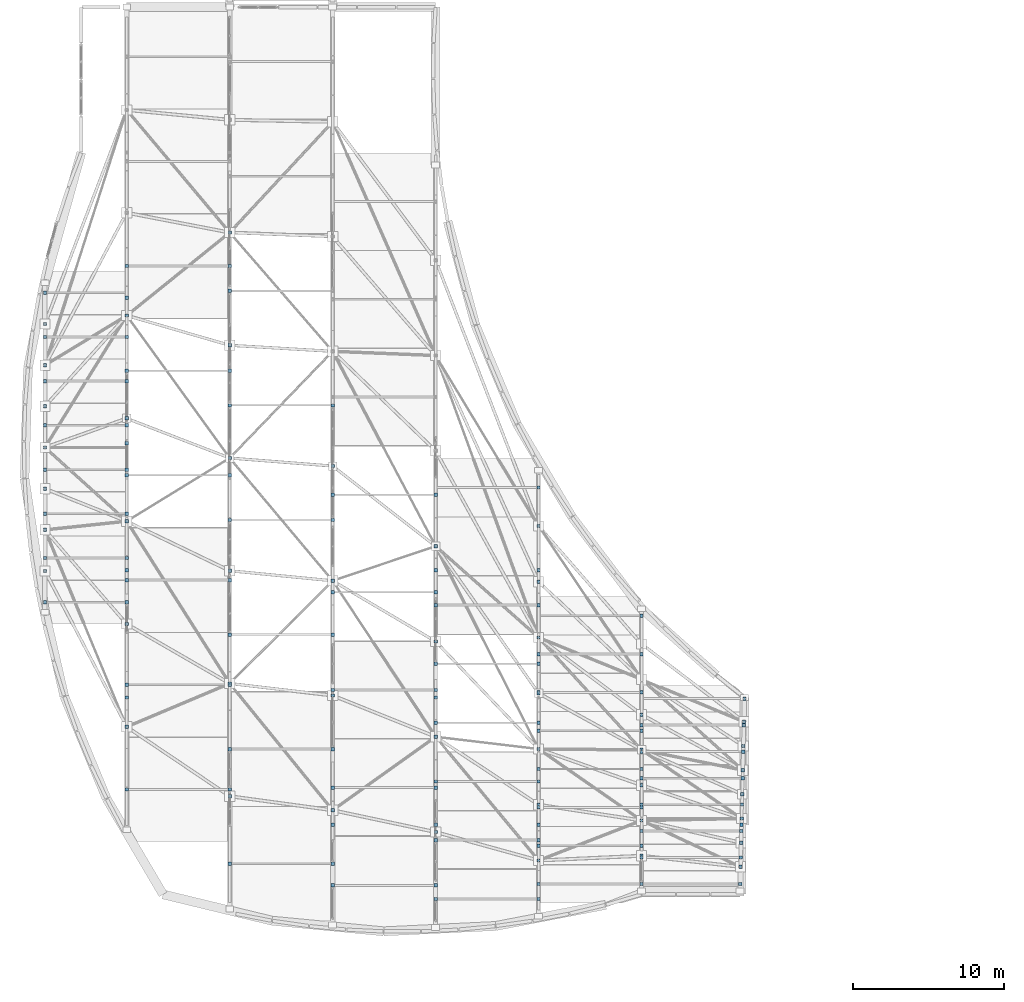
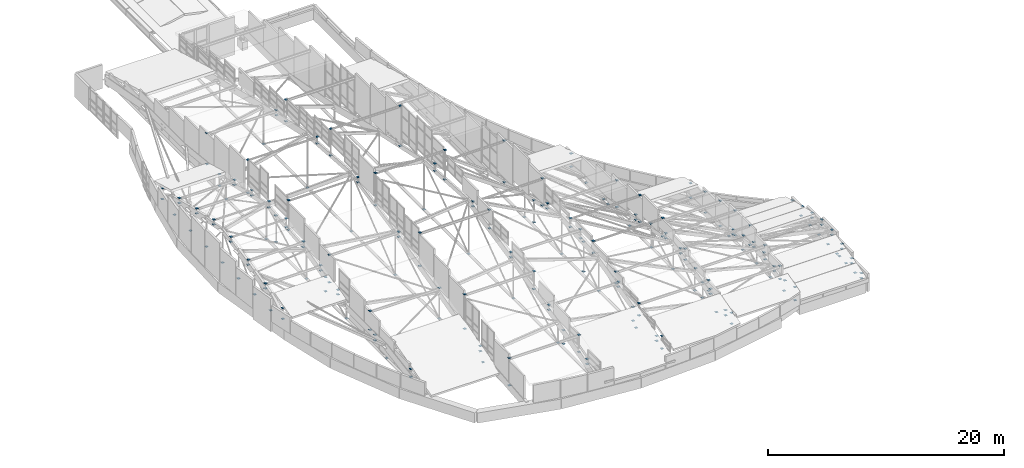
# One storey, part 177 of 188: 237 discrete accessories.
"""IFC4 building model written with IfcOpenShell, lengths in metres."""

from ifc_helpers import new_model, si_unit, direction, frame, origin, origin_2d, place, context, subcontext, project, spatial, rectangle, extrude, material, layer, layer_set, type_object, element, save


model = new_model("IFC4")

# Units and contexts
model_context = context("Model", 3, precision=1e-05, world=origin(), true_north=direction((0.0, 1.0)))
body_context = subcontext(model_context, "Body", "Model", "MODEL_VIEW")
ifc_project = project(units=[si_unit("LENGTHUNIT", "METRE"), si_unit("AREAUNIT", "SQUARE_METRE"), si_unit("VOLUMEUNIT", "CUBIC_METRE"), si_unit("PLANEANGLEUNIT", "RADIAN"), si_unit("MASSUNIT", "GRAM", prefix="KILO")], contexts=[model_context])

# Site, building, storey
site_placement = place(None, origin())
site = spatial("IfcSite", under=ifc_project, at=site_placement, CompositionType="ELEMENT")
building_placement = place(site_placement, origin())
building = spatial("IfcBuilding", under=site, at=building_placement, Name="Kisaragi Civic Commons", CompositionType="ELEMENT")
storey_placement = place(building_placement, frame((0.0, 0.0, 9.60009765625)))
storey = spatial("IfcBuildingStorey", under=building, at=storey_placement, Name="L02", CompositionType="ELEMENT", Elevation=9.60009765625)

# Discrete accessories
ifc_material = material(Name="Steel SN490 (SN490B)", Category="steel")
ifc_layer = layer(ifc_material, 0.02392578125, Name="Steel SN490 (SN490B)", Category="steel")
ifc_layer_set = layer_set([ifc_layer], Name="Steel SN490 (SN490B)")
discrete_accessory_type = type_object("IfcDiscreteAccessoryType", Name="CN-01", PredefinedType="SHOE", material=ifc_layer_set)
for number, where, z_axis, x_axis, name in (
    (1, (1.39990234375, 25.15771484375, -0.092041015625), (0.0, 0.0, 1.0), (1.0, 0.0, 0.0), "Brace/strut steel end connection 48"),
    (2, (1.39990234375, 27.876953125, -0.092041015625), (0.0, 0.0, 1.0), (1.0, 0.0, 0.0), "Brace/strut steel end connection 49"),
    (3, (1.39990234375, 30.59619140625, -0.092041015625), (0.0, 0.0, 1.0), (1.0, 0.0, 0.0), "Brace/strut steel end connection 50"),
    (4, (1.39990234375, 33.3154296875, -0.092041015625), (0.0, 0.0, 1.0), (1.0, 0.0, 0.0), "Brace/strut steel end connection 51"),
    (5, (1.39990234375, 36.03466796875, -0.092041015625), (0.0, 0.0, 1.0), (1.0, 0.0, 0.0), "Brace/strut steel end connection 52"),
    (6, (1.39990234375, 38.75390625, -0.092041015625), (0.0, 0.0, 1.0), (1.0, 0.0, 0.0), "Brace/strut steel end connection 53"),
    (7, (1.39990234375, 41.47314453125, -0.092041015625), (0.0, 0.0, 1.0), (1.0, 0.0, 0.0), "Brace/strut steel end connection 54"),
    (8, (6.800048828125, 14.86669921875, -0.703125), (0.0, 0.0, 1.0), (1.0, 0.0, 0.0), "Brace/strut steel end connection 55"),
    (9, (6.800048828125, 21.6572265625, -0.703125), (0.0, 0.0, 1.0), (1.0, 0.0, 0.0), "Brace/strut steel end connection 56"),
    (10, (6.800048828125, 28.447509765625, -0.703125), (0.0, 0.0, 1.0), (1.0, 0.0, 0.0), "Brace/strut steel end connection 57"),
    (11, (6.800048828125, 35.238037109375, -0.703125), (0.0, 0.0, 1.0), (1.0, 0.0, 0.0), "Brace/strut steel end connection 58"),
    (12, (6.800048828125, 42.028564453125, -0.703125), (0.0, 0.0, 1.0), (1.0, 0.0, 0.0), "Brace/strut steel end connection 59"),
    (13, (13.60009765625, 10.28564453125, -0.703125), (0.0, 0.0, 1.0), (1.0, 0.0, 0.0), "Brace/strut steel end connection 62"),
    (14, (13.60009765625, 17.73046875, -0.703125), (0.0, 0.0, 1.0), (1.0, 0.0, 0.0), "Brace/strut steel end connection 63"),
    (15, (13.60009765625, 25.17529296875, -0.703125), (0.0, 0.0, 1.0), (1.0, 0.0, 0.0), "Brace/strut steel end connection 64"),
    (16, (13.60009765625, 32.620361328125, -0.703125), (0.0, 0.0, 1.0), (1.0, 0.0, 0.0), "Brace/strut steel end connection 65"),
    (17, (13.60009765625, 40.065185546875, -0.703125), (0.0, 0.0, 1.0), (1.0, 0.0, 0.0), "Brace/strut steel end connection 66"),
    (18, (13.60009765625, 47.51025390625, -0.703125), (0.0, 0.0, 1.0), (1.0, 0.0, 0.0), "Brace/strut steel end connection 67"),
    (19, (20.39990234375, 9.357421875, -0.511474609375), (0.0, 0.0, 1.0), (1.0, 0.0, 0.0), "Brace/strut steel end connection 69"),
    (20, (20.39990234375, 16.93505859375, -0.511474609375), (0.0, 0.0, 1.0), (1.0, 0.0, 0.0), "Brace/strut steel end connection 70"),
    (21, (20.39990234375, 24.512451171875, -0.511474609375), (0.0, 0.0, 1.0), (1.0, 0.0, 0.0), "Brace/strut steel end connection 71"),
    (22, (20.39990234375, 32.090087890625, -0.511474609375), (0.0, 0.0, 1.0), (1.0, 0.0, 0.0), "Brace/strut steel end connection 72"),
    (23, (27.199951171875, 7.9169921875, -0.470947265625), (0.0, 0.0, 1.0), (1.0, 0.0, 0.0), "Brace/strut steel end connection 75"),
    (24, (27.199951171875, 14.21142578125, -0.470947265625), (0.0, 0.0, 1.0), (1.0, 0.0, 0.0), "Brace/strut steel end connection 76"),
    (25, (27.199951171875, 20.506103515625, -0.470947265625), (0.0, 0.0, 1.0), (1.0, 0.0, 0.0), "Brace/strut steel end connection 77"),
    (26, (27.199951171875, 26.800537109375, -0.470947265625), (0.0, 0.0, 1.0), (1.0, 0.0, 0.0), "Brace/strut steel end connection 78"),
    (27, (34.0, 24.4482421875, -0.092041015625), (0.0, 0.0, 1.0), (1.0, 0.0, 0.0), "Brace/strut steel end connection 82"),
    (28, (34.0, 28.1298828125, -0.092041015625), (0.0, 0.0, 1.0), (1.0, 0.0, 0.0), "Brace/strut steel end connection 83"),
    (29, (34.0, 6.0400390625, -0.092041015625), (0.0, 0.0, 1.0), (1.0, 0.0, 0.0), "Brace/strut steel end connection 84"),
    (30, (34.0, 9.7216796875, -0.092041015625), (0.0, 0.0, 1.0), (1.0, 0.0, 0.0), "Brace/strut steel end connection 85"),
    (31, (34.0, 13.4033203125, -0.092041015625), (0.0, 0.0, 1.0), (1.0, 0.0, 0.0), "Brace/strut steel end connection 86"),
    (32, (34.0, 17.0849609375, -0.092041015625), (0.0, 0.0, 1.0), (1.0, 0.0, 0.0), "Brace/strut steel end connection 87"),
    (33, (34.0, 20.7666015625, -0.092041015625), (0.0, 0.0, 1.0), (1.0, 0.0, 0.0), "Brace/strut steel end connection 88"),
    (34, (40.800048828125, 6.35107421875, -0.45263671875), (0.0, 0.0, 1.0), (1.0, 0.0, 0.0), "Brace/strut steel end connection 89"),
    (35, (40.800048828125, 8.681884765625, -0.45263671875), (0.0, 0.0, 1.0), (1.0, 0.0, 0.0), "Brace/strut steel end connection 90"),
    (36, (40.800048828125, 11.012939453125, -0.45263671875), (0.0, 0.0, 1.0), (1.0, 0.0, 0.0), "Brace/strut steel end connection 91"),
    (37, (40.800048828125, 13.343994140625, -0.45263671875), (0.0, 0.0, 1.0), (1.0, 0.0, 0.0), "Brace/strut steel end connection 92"),
    (38, (40.800048828125, 15.675048828125, -0.45263671875), (0.0, 0.0, 1.0), (1.0, 0.0, 0.0), "Brace/strut steel end connection 93"),
    (39, (47.40283203125, 8.39990234375, -0.423095703125), (0.0, 0.0, 1.0), (1.0, 0.0, 0.0), "Brace/strut steel end connection 94"),
    (40, (47.33740234375, 5.617431640625, -0.423095703125), (0.0, 0.0, 1.0), (1.0, 0.0, 0.0), "Brace/strut steel end connection 95"),
    (41, (47.375, 7.215087890625, -0.423095703125), (0.0, 0.0, 1.0), (1.0, 0.0, 0.0), "Brace/strut steel end connection 96"),
    (42, (47.41259765625, 8.8125, -0.423095703125), (0.0, 0.0, 1.0), (1.0, 0.0, 0.0), "Brace/strut steel end connection 97"),
    (43, (47.449951171875, 10.409912109375, -0.423095703125), (0.0, 0.0, 1.0), (1.0, 0.0, 0.0), "Brace/strut steel end connection 98"),
    (44, (47.487548828125, 12.007568359375, -0.423095703125), (0.0, 0.0, 1.0), (1.0, 0.0, 0.0), "Brace/strut steel end connection 99"),
    (45, (47.52490234375, 13.60498046875, -0.423095703125), (0.0, 0.0, 1.0), (1.0, 0.0, 0.0), "Brace/strut steel end connection 100"),
    (46, (47.5625, 15.202392578125, -0.423095703125), (0.0, 0.0, 1.0), (1.0, 0.0, 0.0), "Brace/strut steel end connection 101"),
    (47, (6.800048828125, 16.800048828125, -0.031982421875), (0.0, 0.0, 1.0), (1.0, 0.0, 0.0), "Brace/strut steel end connection 102"),
    (48, (6.800048828125, 16.800048828125, 0.555419921875), (0.0, 0.0, 1.0), (1.0, 0.0, 0.0), "Brace/strut steel end connection 103"),
    (49, (6.800048828125, 25.199951171875, -0.031982421875), (0.0, 0.0, 1.0), (1.0, 0.0, 0.0), "Brace/strut steel end connection 104"),
    (50, (6.800048828125, 25.199951171875, 1.43505859375), (0.0, 0.0, 1.0), (1.0, 0.0, 0.0), "Brace/strut steel end connection 105"),
    (51, (6.800048828125, 33.60009765625, -0.031982421875), (0.0, 0.0, 1.0), (1.0, 0.0, 0.0), "Brace/strut steel end connection 106"),
    (52, (6.800048828125, 33.60009765625, 2.722412109375), (0.0, 0.0, 1.0), (1.0, 0.0, 0.0), "Brace/strut steel end connection 107"),
    (53, (6.800048828125, 43.199951171875, -0.031982421875), (0.0, 0.0, 1.0), (1.0, 0.0, 0.0), "Brace/strut steel end connection 108"),
    (54, (6.800048828125, 43.199951171875, 1.166748046875), (0.0, 0.0, 1.0), (1.0, 0.0, 0.0), "Brace/strut steel end connection 109"),
    (55, (20.39990234375, 8.39990234375, -0.031982421875), (0.0, 0.0, 1.0), (1.0, 0.0, 0.0), "Brace/strut steel end connection 114"),
    (56, (20.39990234375, 8.39990234375, 1.37353515625), (0.0, 0.0, 1.0), (1.0, 0.0, 0.0), "Brace/strut steel end connection 115"),
    (57, (27.199951171875, 8.39990234375, -0.031982421875), (0.0, 0.0, 1.0), (1.0, 0.0, 0.0), "Brace/strut steel end connection 116"),
    (58, (27.199951171875, 8.39990234375, 1.39501953125), (0.0, 0.0, 1.0), (1.0, 0.0, 0.0), "Brace/strut steel end connection 117"),
    (59, (27.199951171875, 16.800048828125, -0.031982421875), (0.0, 0.0, 1.0), (1.0, 0.0, 0.0), "Brace/strut steel end connection 118"),
    (60, (27.199951171875, 16.800048828125, 3.048095703125), (0.0, 0.0, 1.0), (1.0, 0.0, 0.0), "Brace/strut steel end connection 119"),
    (61, (27.199951171875, 25.199951171875, -0.031982421875), (0.0, 0.0, 1.0), (1.0, 0.0, 0.0), "Brace/strut steel end connection 120"),
    (62, (27.199951171875, 25.199951171875, 2.255859375), (0.0, 0.0, 1.0), (1.0, 0.0, 0.0), "Brace/strut steel end connection 121"),
    (63, (34.0, 8.39990234375, -0.031982421875), (0.0, 0.0, 1.0), (1.0, 0.0, 0.0), "Brace/strut steel end connection 126"),
    (64, (34.0, 8.39990234375, 1.5419921875), (0.0, 0.0, 1.0), (1.0, 0.0, 0.0), "Brace/strut steel end connection 127"),
    (65, (34.0, 25.199951171875, -0.031982421875), (0.0, 0.0, 1.0), (1.0, 0.0, 0.0), "Brace/strut steel end connection 128"),
    (66, (1.39990234375, 23.09814453125, 0.279541015625), (0.0, 0.0, 1.0), (1.0, 0.0, 0.0), "Brace/strut steel end connection 129"),
    (67, (1.39990234375, 23.09814453125, 1.39794921875), (0.0, 0.0, 1.0), (1.0, 0.0, 0.0), "Brace/strut steel end connection 130"),
    (68, (6.800048828125, 23.09814453125, 0.9130859375), (0.0, 0.0, 1.0), (1.0, 0.0, 0.0), "Brace/strut steel end connection 131"),
    (69, (6.800048828125, 23.09814453125, 1.39794921875), (0.0, 0.0, 1.0), (1.0, 0.0, 0.0), "Brace/strut steel end connection 132"),
    (70, (1.39990234375, 26.017333984375, 1.653076171875), (0.0, 0.0, 1.0), (1.0, 0.0, 0.0), "Brace/strut steel end connection 133"),
    (71, (1.39990234375, 26.017333984375, 2.169921875), (0.0, 0.0, 1.0), (1.0, 0.0, 0.0), "Brace/strut steel end connection 134"),
    (72, (6.800048828125, 26.017333984375, 1.637939453125), (0.0, 0.0, 1.0), (1.0, 0.0, 0.0), "Brace/strut steel end connection 135"),
    (73, (6.800048828125, 26.017333984375, 2.169921875), (0.0, 0.0, 1.0), (1.0, 0.0, 0.0), "Brace/strut steel end connection 136"),
    (74, (1.39990234375, 28.9365234375, 2.349853515625), (0.0, 0.0, 1.0), (1.0, 0.0, 0.0), "Brace/strut steel end connection 137"),
    (75, (1.39990234375, 28.9365234375, 2.86083984375), (0.0, 0.0, 1.0), (1.0, 0.0, 0.0), "Brace/strut steel end connection 138"),
    (76, (6.800048828125, 28.9365234375, 2.287109375), (0.0, 0.0, 1.0), (1.0, 0.0, 0.0), "Brace/strut steel end connection 139"),
    (77, (6.800048828125, 28.9365234375, 2.86083984375), (0.0, 0.0, 1.0), (1.0, 0.0, 0.0), "Brace/strut steel end connection 140"),
    (78, (1.39990234375, 31.855712890625, 2.9638671875), (0.0, 0.0, 1.0), (1.0, 0.0, 0.0), "Brace/strut steel end connection 141"),
    (79, (1.39990234375, 31.855712890625, 3.474853515625), (0.0, 0.0, 1.0), (1.0, 0.0, 0.0), "Brace/strut steel end connection 142"),
    (80, (6.800048828125, 31.855712890625, 2.5595703125), (0.0, 0.0, 1.0), (1.0, 0.0, 0.0), "Brace/strut steel end connection 143"),
    (81, (6.800048828125, 31.855712890625, 3.474853515625), (0.0, 0.0, 1.0), (1.0, 0.0, 0.0), "Brace/strut steel end connection 144"),
    (82, (1.39990234375, 34.77490234375, 2.9638671875), (0.0, 0.0, 1.0), (1.0, 0.0, 0.0), "Brace/strut steel end connection 145"),
    (83, (1.39990234375, 34.77490234375, 3.474853515625), (0.0, 0.0, 1.0), (1.0, 0.0, 0.0), "Brace/strut steel end connection 146"),
    (84, (6.800048828125, 34.77490234375, 2.83203125), (0.0, 0.0, 1.0), (1.0, 0.0, 0.0), "Brace/strut steel end connection 147"),
    (85, (6.800048828125, 34.77490234375, 3.474853515625), (0.0, 0.0, 1.0), (1.0, 0.0, 0.0), "Brace/strut steel end connection 148"),
    (86, (1.39990234375, 37.6943359375, 2.349853515625), (0.0, 0.0, 1.0), (1.0, 0.0, 0.0), "Brace/strut steel end connection 149"),
    (87, (1.39990234375, 37.6943359375, 2.86083984375), (0.0, 0.0, 1.0), (1.0, 0.0, 0.0), "Brace/strut steel end connection 150"),
    (88, (6.800048828125, 37.6943359375, 2.30322265625), (0.0, 0.0, 1.0), (1.0, 0.0, 0.0), "Brace/strut steel end connection 151"),
    (89, (6.800048828125, 37.6943359375, 2.86083984375), (0.0, 0.0, 1.0), (1.0, 0.0, 0.0), "Brace/strut steel end connection 152"),
    (90, (1.39990234375, 40.613525390625, 1.653076171875), (0.0, 0.0, 1.0), (1.0, 0.0, 0.0), "Brace/strut steel end connection 153"),
    (91, (1.39990234375, 40.613525390625, 2.169921875), (0.0, 0.0, 1.0), (1.0, 0.0, 0.0), "Brace/strut steel end connection 154"),
    (92, (6.800048828125, 40.613525390625, 1.62353515625), (0.0, 0.0, 1.0), (1.0, 0.0, 0.0), "Brace/strut steel end connection 155"),
    (93, (6.800048828125, 40.613525390625, 2.169921875), (0.0, 0.0, 1.0), (1.0, 0.0, 0.0), "Brace/strut steel end connection 156"),
    (94, (1.39990234375, 43.53271484375, 0.279541015625), (0.0, 0.0, 1.0), (1.0, 0.0, 0.0), "Brace/strut steel end connection 157"),
    (95, (1.39990234375, 43.53271484375, 1.397705078125), (0.0, 0.0, 1.0), (1.0, 0.0, 0.0), "Brace/strut steel end connection 158"),
    (96, (6.800048828125, 10.732666015625, -0.12646484375), (0.0, 0.0, 1.0), (1.0, 0.0, 0.0), "Brace/strut steel end connection 159"),
    (97, (6.800048828125, 10.732666015625, 0.693115234375), (0.0, 0.0, 1.0), (1.0, 0.0, 0.0), "Brace/strut steel end connection 160"),
    (98, (13.60009765625, 10.732666015625, 0.166748046875), (0.0, 0.0, 1.0), (1.0, 0.0, 0.0), "Brace/strut steel end connection 161"),
    (99, (13.60009765625, 10.732666015625, 0.693115234375), (0.0, 0.0, 1.0), (1.0, 0.0, 0.0), "Brace/strut steel end connection 162"),
    (100, (6.800048828125, 17.6455078125, 0.555419921875), (0.0, 0.0, 1.0), (1.0, 0.0, 0.0), "Brace/strut steel end connection 163"),
    (101, (6.800048828125, 17.6455078125, 2.516845703125), (0.0, 0.0, 1.0), (1.0, 0.0, 0.0), "Brace/strut steel end connection 164"),
    (102, (13.60009765625, 17.6455078125, 2.516845703125), (0.0, 0.0, 1.0), (1.0, 0.0, 0.0), "Brace/strut steel end connection 165"),
    (103, (6.800048828125, 24.55859375, 1.275634765625), (0.0, 0.0, 1.0), (1.0, 0.0, 0.0), "Brace/strut steel end connection 166"),
    (104, (6.800048828125, 24.55859375, 4.1484375), (0.0, 0.0, 1.0), (1.0, 0.0, 0.0), "Brace/strut steel end connection 167"),
    (105, (13.60009765625, 24.55859375, 3.62890625), (0.0, 0.0, 1.0), (1.0, 0.0, 0.0), "Brace/strut steel end connection 168"),
    (106, (13.60009765625, 24.55859375, 4.1484375), (0.0, 0.0, 1.0), (1.0, 0.0, 0.0), "Brace/strut steel end connection 169"),
    (107, (6.800048828125, 31.4716796875, 2.523681640625), (0.0, 0.0, 1.0), (1.0, 0.0, 0.0), "Brace/strut steel end connection 170"),
    (108, (6.800048828125, 31.4716796875, 5.593017578125), (0.0, 0.0, 1.0), (1.0, 0.0, 0.0), "Brace/strut steel end connection 171"),
    (109, (13.60009765625, 31.4716796875, 5.070556640625), (0.0, 0.0, 1.0), (1.0, 0.0, 0.0), "Brace/strut steel end connection 172"),
    (110, (13.60009765625, 31.4716796875, 5.593017578125), (0.0, 0.0, 1.0), (1.0, 0.0, 0.0), "Brace/strut steel end connection 173"),
    (111, (6.800048828125, 38.384521484375, 2.142578125), (0.0, 0.0, 1.0), (1.0, 0.0, 0.0), "Brace/strut steel end connection 174"),
    (112, (6.800048828125, 38.384521484375, 5.593017578125), (0.0, 0.0, 1.0), (1.0, 0.0, 0.0), "Brace/strut steel end connection 175"),
    (113, (13.60009765625, 38.384521484375, 4.88134765625), (0.0, 0.0, 1.0), (1.0, 0.0, 0.0), "Brace/strut steel end connection 176"),
    (114, (13.60009765625, 38.384521484375, 5.593017578125), (0.0, 0.0, 1.0), (1.0, 0.0, 0.0), "Brace/strut steel end connection 177"),
    (115, (6.800048828125, 45.297607421875, 0.9384765625), (0.0, 0.0, 1.0), (1.0, 0.0, 0.0), "Brace/strut steel end connection 178"),
    (116, (6.800048828125, 45.297607421875, 4.1484375), (0.0, 0.0, 1.0), (1.0, 0.0, 0.0), "Brace/strut steel end connection 179"),
    (117, (13.60009765625, 45.297607421875, 3.625244140625), (0.0, 0.0, 1.0), (1.0, 0.0, 0.0), "Brace/strut steel end connection 180"),
    (118, (13.60009765625, 45.297607421875, 4.1484375), (0.0, 0.0, 1.0), (1.0, 0.0, 0.0), "Brace/strut steel end connection 181"),
    (119, (13.60009765625, 5.824462890625, -0.402099609375), (0.0, 0.0, 1.0), (1.0, 0.0, 0.0), "Brace/strut steel end connection 190"),
    (120, (13.60009765625, 5.824462890625, 2.44921875), (0.0, 0.0, 1.0), (1.0, 0.0, 0.0), "Brace/strut steel end connection 191"),
    (121, (20.39990234375, 5.824462890625, 0.6728515625), (0.0, 0.0, 1.0), (1.0, 0.0, 0.0), "Brace/strut steel end connection 192"),
    (122, (20.39990234375, 5.824462890625, 2.44921875), (0.0, 0.0, 1.0), (1.0, 0.0, 0.0), "Brace/strut steel end connection 193"),
    (123, (13.60009765625, 13.391845703125, 0.871826171875), (0.0, 0.0, 1.0), (1.0, 0.0, 0.0), "Brace/strut steel end connection 194"),
    (124, (13.60009765625, 13.391845703125, 4.4453125), (0.0, 0.0, 1.0), (1.0, 0.0, 0.0), "Brace/strut steel end connection 195"),
    (125, (20.39990234375, 13.391845703125, 2.602294921875), (0.0, 0.0, 1.0), (1.0, 0.0, 0.0), "Brace/strut steel end connection 196"),
    (126, (20.39990234375, 13.391845703125, 4.4453125), (0.0, 0.0, 1.0), (1.0, 0.0, 0.0), "Brace/strut steel end connection 197"),
    (127, (13.60009765625, 20.959228515625, 2.781982421875), (0.0, 0.0, 1.0), (1.0, 0.0, 0.0), "Brace/strut steel end connection 198"),
    (128, (13.60009765625, 20.959228515625, 6.23095703125), (0.0, 0.0, 1.0), (1.0, 0.0, 0.0), "Brace/strut steel end connection 199"),
    (129, (20.39990234375, 20.959228515625, 4.291259765625), (0.0, 0.0, 1.0), (1.0, 0.0, 0.0), "Brace/strut steel end connection 200"),
    (130, (20.39990234375, 20.959228515625, 6.23095703125), (0.0, 0.0, 1.0), (1.0, 0.0, 0.0), "Brace/strut steel end connection 201"),
    (131, (13.60009765625, 28.526611328125, 4.464111328125), (0.0, 0.0, 1.0), (1.0, 0.0, 0.0), "Brace/strut steel end connection 202"),
    (132, (13.60009765625, 28.526611328125, 7.811767578125), (0.0, 0.0, 1.0), (1.0, 0.0, 0.0), "Brace/strut steel end connection 203"),
    (133, (20.39990234375, 28.526611328125, 4.75927734375), (0.0, 0.0, 1.0), (1.0, 0.0, 0.0), "Brace/strut steel end connection 204"),
    (134, (20.39990234375, 28.526611328125, 7.811767578125), (0.0, 0.0, 1.0), (1.0, 0.0, 0.0), "Brace/strut steel end connection 205"),
    (135, (13.60009765625, 36.093994140625, 5.050537109375), (0.0, 0.0, 1.0), (1.0, 0.0, 0.0), "Brace/strut steel end connection 206"),
    (136, (13.60009765625, 36.093994140625, 7.811767578125), (0.0, 0.0, 1.0), (1.0, 0.0, 0.0), "Brace/strut steel end connection 207"),
    (137, (20.39990234375, 36.093994140625, 3.643310546875), (0.0, 0.0, 1.0), (1.0, 0.0, 0.0), "Brace/strut steel end connection 208"),
    (138, (20.39990234375, 36.093994140625, 7.811767578125), (0.0, 0.0, 1.0), (1.0, 0.0, 0.0), "Brace/strut steel end connection 209"),
    (139, (13.60009765625, 43.66162109375, 3.979248046875), (0.0, 0.0, 1.0), (1.0, 0.0, 0.0), "Brace/strut steel end connection 210"),
    (140, (13.60009765625, 43.66162109375, 6.23095703125), (0.0, 0.0, 1.0), (1.0, 0.0, 0.0), "Brace/strut steel end connection 211"),
    (141, (20.39990234375, 4.4013671875, 0.28564453125), (0.0, 0.0, 1.0), (1.0, 0.0, 0.0), "Brace/strut steel end connection 221"),
    (142, (20.39990234375, 4.4013671875, 0.820556640625), (0.0, 0.0, 1.0), (1.0, 0.0, 0.0), "Brace/strut steel end connection 222"),
    (143, (27.199951171875, 4.4013671875, 0.299560546875), (0.0, 0.0, 1.0), (1.0, 0.0, 0.0), "Brace/strut steel end connection 223"),
    (144, (27.199951171875, 4.4013671875, 0.820556640625), (0.0, 0.0, 1.0), (1.0, 0.0, 0.0), "Brace/strut steel end connection 224"),
    (145, (20.39990234375, 10.851806640625, 1.99267578125), (0.0, 0.0, 1.0), (1.0, 0.0, 0.0), "Brace/strut steel end connection 225"),
    (146, (20.39990234375, 10.851806640625, 2.522705078125), (0.0, 0.0, 1.0), (1.0, 0.0, 0.0), "Brace/strut steel end connection 226"),
    (147, (27.199951171875, 10.851806640625, 2.00634765625), (0.0, 0.0, 1.0), (1.0, 0.0, 0.0), "Brace/strut steel end connection 227"),
    (148, (27.199951171875, 10.851806640625, 2.522705078125), (0.0, 0.0, 1.0), (1.0, 0.0, 0.0), "Brace/strut steel end connection 228"),
    (149, (20.39990234375, 17.302001953125, 3.529052734375), (0.0, 0.0, 1.0), (1.0, 0.0, 0.0), "Brace/strut steel end connection 229"),
    (150, (20.39990234375, 17.302001953125, 4.045166015625), (0.0, 0.0, 1.0), (1.0, 0.0, 0.0), "Brace/strut steel end connection 230"),
    (151, (27.199951171875, 17.302001953125, 3.087646484375), (0.0, 0.0, 1.0), (1.0, 0.0, 0.0), "Brace/strut steel end connection 231"),
    (152, (27.199951171875, 17.302001953125, 4.045166015625), (0.0, 0.0, 1.0), (1.0, 0.0, 0.0), "Brace/strut steel end connection 232"),
    (153, (20.39990234375, 23.75244140625, 4.87353515625), (0.0, 0.0, 1.0), (1.0, 0.0, 0.0), "Brace/strut steel end connection 233"),
    (154, (20.39990234375, 23.75244140625, 5.3935546875), (0.0, 0.0, 1.0), (1.0, 0.0, 0.0), "Brace/strut steel end connection 234"),
    (155, (27.199951171875, 23.75244140625, 2.590087890625), (0.0, 0.0, 1.0), (1.0, 0.0, 0.0), "Brace/strut steel end connection 235"),
    (156, (27.199951171875, 23.75244140625, 5.3935546875), (0.0, 0.0, 1.0), (1.0, 0.0, 0.0), "Brace/strut steel end connection 236"),
    (157, (20.39990234375, 30.202880859375, 4.6455078125), (0.0, 0.0, 1.0), (1.0, 0.0, 0.0), "Brace/strut steel end connection 237"),
    (158, (20.39990234375, 30.202880859375, 5.3935546875), (0.0, 0.0, 1.0), (1.0, 0.0, 0.0), "Brace/strut steel end connection 238"),
    (159, (27.199951171875, 30.202880859375, 1.0849609375), (0.0, 0.0, 1.0), (1.0, 0.0, 0.0), "Brace/strut steel end connection 239"),
    (160, (27.199951171875, 30.202880859375, 5.3935546875), (0.0, 0.0, 1.0), (1.0, 0.0, 0.0), "Brace/strut steel end connection 240"),
    (161, (27.199951171875, 3.499267578125, 0.049560546875), (0.0, 0.0, 1.0), (1.0, 0.0, 0.0), "Brace/strut steel end connection 250"),
    (162, (27.199951171875, 3.499267578125, 1.379638671875), (0.0, 0.0, 1.0), (1.0, 0.0, 0.0), "Brace/strut steel end connection 251"),
    (163, (34.0, 3.499267578125, 0.238037109375), (0.0, 0.0, 1.0), (1.0, 0.0, 0.0), "Brace/strut steel end connection 252"),
    (164, (34.0, 3.499267578125, 1.379638671875), (0.0, 0.0, 1.0), (1.0, 0.0, 0.0), "Brace/strut steel end connection 253"),
    (165, (27.199951171875, 7.380859375, 1.1259765625), (0.0, 0.0, 1.0), (1.0, 0.0, 0.0), "Brace/strut steel end connection 254"),
    (166, (27.199951171875, 7.380859375, 2.4052734375), (0.0, 0.0, 1.0), (1.0, 0.0, 0.0), "Brace/strut steel end connection 255"),
    (167, (34.0, 7.380859375, 1.29638671875), (0.0, 0.0, 1.0), (1.0, 0.0, 0.0), "Brace/strut steel end connection 256"),
    (168, (34.0, 7.380859375, 2.4052734375), (0.0, 0.0, 1.0), (1.0, 0.0, 0.0), "Brace/strut steel end connection 257"),
    (169, (27.199951171875, 11.262451171875, 2.10888671875), (0.0, 0.0, 1.0), (1.0, 0.0, 0.0), "Brace/strut steel end connection 258"),
    (170, (27.199951171875, 11.262451171875, 3.32275390625), (0.0, 0.0, 1.0), (1.0, 0.0, 0.0), "Brace/strut steel end connection 259"),
    (171, (34.0, 11.262451171875, 2.166015625), (0.0, 0.0, 1.0), (1.0, 0.0, 0.0), "Brace/strut steel end connection 260"),
    (172, (34.0, 11.262451171875, 3.32275390625), (0.0, 0.0, 1.0), (1.0, 0.0, 0.0), "Brace/strut steel end connection 261"),
    (173, (27.199951171875, 15.14404296875, 2.917724609375), (0.0, 0.0, 1.0), (1.0, 0.0, 0.0), "Brace/strut steel end connection 262"),
    (174, (27.199951171875, 15.14404296875, 4.13671875), (0.0, 0.0, 1.0), (1.0, 0.0, 0.0), "Brace/strut steel end connection 263"),
    (175, (34.0, 15.14404296875, 2.23291015625), (0.0, 0.0, 1.0), (1.0, 0.0, 0.0), "Brace/strut steel end connection 264"),
    (176, (34.0, 15.14404296875, 4.13671875), (0.0, 0.0, 1.0), (1.0, 0.0, 0.0), "Brace/strut steel end connection 265"),
    (177, (27.199951171875, 19.02587890625, 3.22314453125), (0.0, 0.0, 1.0), (1.0, 0.0, 0.0), "Brace/strut steel end connection 266"),
    (178, (27.199951171875, 19.02587890625, 4.13671875), (0.0, 0.0, 1.0), (1.0, 0.0, 0.0), "Brace/strut steel end connection 267"),
    (179, (34.0, 19.02587890625, 1.363037109375), (0.0, 0.0, 1.0), (1.0, 0.0, 0.0), "Brace/strut steel end connection 268"),
    (180, (34.0, 19.02587890625, 4.13671875), (0.0, 0.0, 1.0), (1.0, 0.0, 0.0), "Brace/strut steel end connection 269"),
    (181, (27.199951171875, 22.907470703125, 2.78515625), (0.0, 0.0, 1.0), (1.0, 0.0, 0.0), "Brace/strut steel end connection 270"),
    (182, (27.199951171875, 22.907470703125, 3.32275390625), (0.0, 0.0, 1.0), (1.0, 0.0, 0.0), "Brace/strut steel end connection 271"),
    (183, (34.0, 22.907470703125, 0.55322265625), (0.0, 0.0, 1.0), (1.0, 0.0, 0.0), "Brace/strut steel end connection 272"),
    (184, (34.0, 22.907470703125, 3.32275390625), (0.0, 0.0, 1.0), (1.0, 0.0, 0.0), "Brace/strut steel end connection 273"),
    (185, (34.0, 30.670654296875, 0.021484375), (0.0, 0.0, 1.0), (1.0, 0.0, 0.0), "Brace/strut steel end connection 274"),
    (186, (34.0, 30.670654296875, 1.379638671875), (0.0, 0.0, 1.0), (1.0, 0.0, 0.0), "Brace/strut steel end connection 275"),
    (187, (34.0, 4.485595703125, 0.5234375), (0.0, 0.0, 1.0), (1.0, 0.0, 0.0), "Brace/strut steel end connection 276"),
    (188, (34.0, 4.485595703125, 1.063232421875), (0.0, 0.0, 1.0), (1.0, 0.0, 0.0), "Brace/strut steel end connection 277"),
    (189, (40.800048828125, 4.485595703125, -0.2978515625), (0.0, 0.0, 1.0), (1.0, 0.0, 0.0), "Brace/strut steel end connection 278"),
    (190, (40.800048828125, 4.485595703125, 1.063232421875), (0.0, 0.0, 1.0), (1.0, 0.0, 0.0), "Brace/strut steel end connection 279"),
    (191, (34.0, 7.0166015625, 1.208740234375), (0.0, 0.0, 1.0), (1.0, 0.0, 0.0), "Brace/strut steel end connection 280"),
    (192, (34.0, 7.0166015625, 1.733154296875), (0.0, 0.0, 1.0), (1.0, 0.0, 0.0), "Brace/strut steel end connection 281"),
    (193, (40.800048828125, 7.0166015625, 0.35986328125), (0.0, 0.0, 1.0), (1.0, 0.0, 0.0), "Brace/strut steel end connection 282"),
    (194, (40.800048828125, 7.0166015625, 1.733154296875), (0.0, 0.0, 1.0), (1.0, 0.0, 0.0), "Brace/strut steel end connection 283"),
    (195, (34.0, 9.547607421875, 2.332763671875), (0.0, 0.0, 1.0), (1.0, 0.0, 0.0), "Brace/strut steel end connection 284"),
    (196, (40.800048828125, 9.547607421875, 0.864501953125), (0.0, 0.0, 1.0), (1.0, 0.0, 0.0), "Brace/strut steel end connection 285"),
    (197, (40.800048828125, 9.547607421875, 2.332763671875), (0.0, 0.0, 1.0), (1.0, 0.0, 0.0), "Brace/strut steel end connection 286"),
    (198, (34.0, 12.07861328125, 2.327880859375), (0.0, 0.0, 1.0), (1.0, 0.0, 0.0), "Brace/strut steel end connection 287"),
    (199, (34.0, 12.07861328125, 2.86572265625), (0.0, 0.0, 1.0), (1.0, 0.0, 0.0), "Brace/strut steel end connection 288"),
    (200, (40.800048828125, 12.07861328125, 0.835205078125), (0.0, 0.0, 1.0), (1.0, 0.0, 0.0), "Brace/strut steel end connection 289"),
    (201, (40.800048828125, 12.07861328125, 2.86572265625), (0.0, 0.0, 1.0), (1.0, 0.0, 0.0), "Brace/strut steel end connection 290"),
    (202, (34.0, 14.609619140625, 2.3427734375), (0.0, 0.0, 1.0), (1.0, 0.0, 0.0), "Brace/strut steel end connection 291"),
    (203, (34.0, 14.609619140625, 2.86572265625), (0.0, 0.0, 1.0), (1.0, 0.0, 0.0), "Brace/strut steel end connection 292"),
    (204, (40.800048828125, 14.609619140625, 0.259521484375), (0.0, 0.0, 1.0), (1.0, 0.0, 0.0), "Brace/strut steel end connection 293"),
    (205, (40.800048828125, 14.609619140625, 2.86572265625), (0.0, 0.0, 1.0), (1.0, 0.0, 0.0), "Brace/strut steel end connection 294"),
    (206, (34.0, 17.140380859375, 2.332763671875), (0.0, 0.0, 1.0), (1.0, 0.0, 0.0), "Brace/strut steel end connection 295"),
    (207, (40.800048828125, 17.140380859375, -0.28515625), (0.0, 0.0, 1.0), (1.0, 0.0, 0.0), "Brace/strut steel end connection 296"),
    (208, (40.800048828125, 17.140380859375, 2.332763671875), (0.0, 0.0, 1.0), (1.0, 0.0, 0.0), "Brace/strut steel end connection 297"),
    (209, (34.0, 19.67138671875, 1.206298828125), (0.0, 0.0, 1.0), (1.0, 0.0, 0.0), "Brace/strut steel end connection 298"),
    (210, (34.0, 19.67138671875, 1.7333984375), (0.0, 0.0, 1.0), (1.0, 0.0, 0.0), "Brace/strut steel end connection 299"),
    (211, (40.800048828125, 19.67138671875, -0.45263671875), (0.0, 0.0, 1.0), (1.0, 0.0, 0.0), "Brace/strut steel end connection 300"),
    (212, (40.800048828125, 19.67138671875, 1.7333984375), (0.0, 0.0, 1.0), (1.0, 0.0, 0.0), "Brace/strut steel end connection 301"),
    (213, (40.800048828125, 22.202392578125, -0.45263671875), (0.0, 0.0, 1.0), (1.0, 0.0, 0.0), "Brace/strut steel end connection 302"),
    (214, (40.800048828125, 22.202392578125, 1.063232421875), (0.0, 0.0, 1.0), (1.0, 0.0, 0.0), "Brace/strut steel end connection 303"),
    (215, (47.31103515625, 4.488037109375, -0.29345703125), (0.0, 0.0, 1.0), (1.0, 0.0, 0.0), "Brace/strut steel end connection 304"),
    (216, (47.31103515625, 4.488037109375, 0.2275390625), (0.0, 0.0, 1.0), (1.0, 0.0, 0.0), "Brace/strut steel end connection 305"),
    (217, (40.800048828125, 6.236328125, 0.69140625), (0.0, 0.0, 1.0), (1.0, 0.0, 0.0), "Brace/strut steel end connection 306"),
    (218, (47.35205078125, 6.236328125, 0.174560546875), (0.0, 0.0, 1.0), (1.0, 0.0, 0.0), "Brace/strut steel end connection 307"),
    (219, (47.35205078125, 6.236328125, 0.69140625), (0.0, 0.0, 1.0), (1.0, 0.0, 0.0), "Brace/strut steel end connection 308"),
    (220, (40.800048828125, 7.984619140625, 0.586669921875), (0.0, 0.0, 1.0), (1.0, 0.0, 0.0), "Brace/strut steel end connection 309"),
    (221, (40.800048828125, 7.984619140625, 1.1064453125), (0.0, 0.0, 1.0), (1.0, 0.0, 0.0), "Brace/strut steel end connection 310"),
    (222, (47.39306640625, 7.984619140625, 0.592529296875), (0.0, 0.0, 1.0), (1.0, 0.0, 0.0), "Brace/strut steel end connection 311"),
    (223, (47.39306640625, 7.984619140625, 1.1064453125), (0.0, 0.0, 1.0), (1.0, 0.0, 0.0), "Brace/strut steel end connection 312"),
    (224, (40.800048828125, 9.73291015625, 1.476806640625), (0.0, 0.0, 1.0), (1.0, 0.0, 0.0), "Brace/strut steel end connection 313"),
    (225, (47.43408203125, 9.73291015625, 0.963134765625), (0.0, 0.0, 1.0), (1.0, 0.0, 0.0), "Brace/strut steel end connection 314"),
    (226, (47.43408203125, 9.73291015625, 1.476806640625), (0.0, 0.0, 1.0), (1.0, 0.0, 0.0), "Brace/strut steel end connection 315"),
    (227, (40.800048828125, 11.481201171875, 0.960205078125), (0.0, 0.0, 1.0), (1.0, 0.0, 0.0), "Brace/strut steel end connection 316"),
    (228, (40.800048828125, 11.481201171875, 1.476806640625), (0.0, 0.0, 1.0), (1.0, 0.0, 0.0), "Brace/strut steel end connection 317"),
    (229, (47.47509765625, 11.481201171875, 0.942138671875), (0.0, 0.0, 1.0), (1.0, 0.0, 0.0), "Brace/strut steel end connection 318"),
    (230, (47.47509765625, 11.481201171875, 1.476806640625), (0.0, 0.0, 1.0), (1.0, 0.0, 0.0), "Brace/strut steel end connection 319"),
    (231, (40.800048828125, 13.2294921875, 1.1064453125), (0.0, 0.0, 1.0), (1.0, 0.0, 0.0), "Brace/strut steel end connection 320"),
    (232, (47.51611328125, 13.2294921875, 0.59521484375), (0.0, 0.0, 1.0), (1.0, 0.0, 0.0), "Brace/strut steel end connection 321"),
    (233, (47.51611328125, 13.2294921875, 1.1064453125), (0.0, 0.0, 1.0), (1.0, 0.0, 0.0), "Brace/strut steel end connection 322"),
    (234, (40.800048828125, 14.9775390625, 0.169189453125), (0.0, 0.0, 1.0), (1.0, 0.0, 0.0), "Brace/strut steel end connection 323"),
    (235, (40.800048828125, 14.9775390625, 0.69140625), (0.0, 0.0, 1.0), (1.0, 0.0, 0.0), "Brace/strut steel end connection 324"),
    (236, (47.55712890625, 14.9775390625, 0.69140625), (0.0, 0.0, 1.0), (1.0, 0.0, 0.0), "Brace/strut steel end connection 325"),
    (237, (47.598388671875, 16.725830078125, 0.2275390625), (0.0, 0.0, 1.0), (1.0, 0.0, 0.0), "Brace/strut steel end connection 326"),
):
    element("IfcDiscreteAccessory", number, at=place(storey_placement, frame(where, z_axis=z_axis, x_axis=x_axis)), inside=storey, type_object=discrete_accessory_type, Name=name, PredefinedType="SHOE", context=body_context, shape_type="SweptSolid", body=[
        extrude(rectangle(XDim=0.219970703125, YDim=0.219970703125, at=origin_2d()), origin(), (0.0, 0.0, 1.0), 0.02392578125),
    ])

save(model, "model.ifc")
